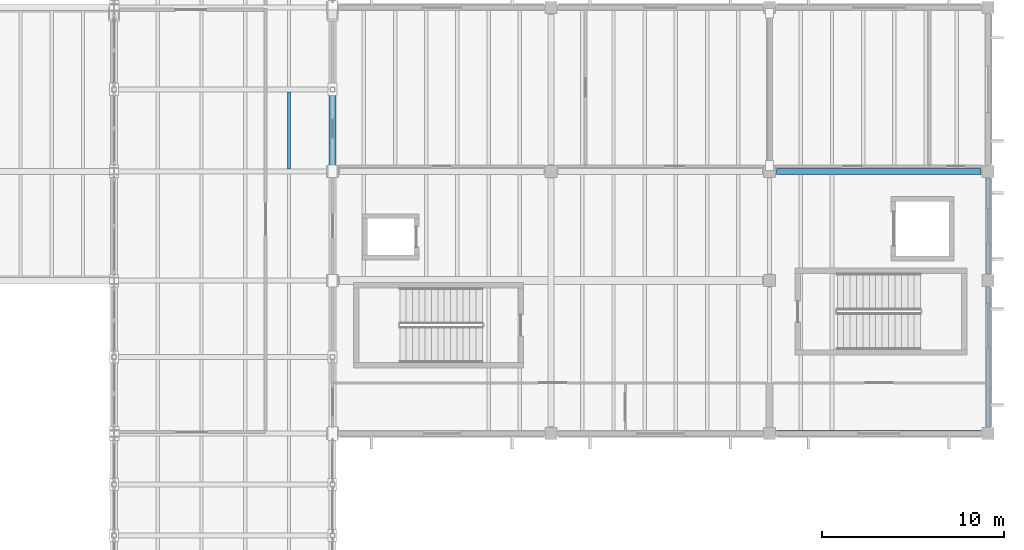
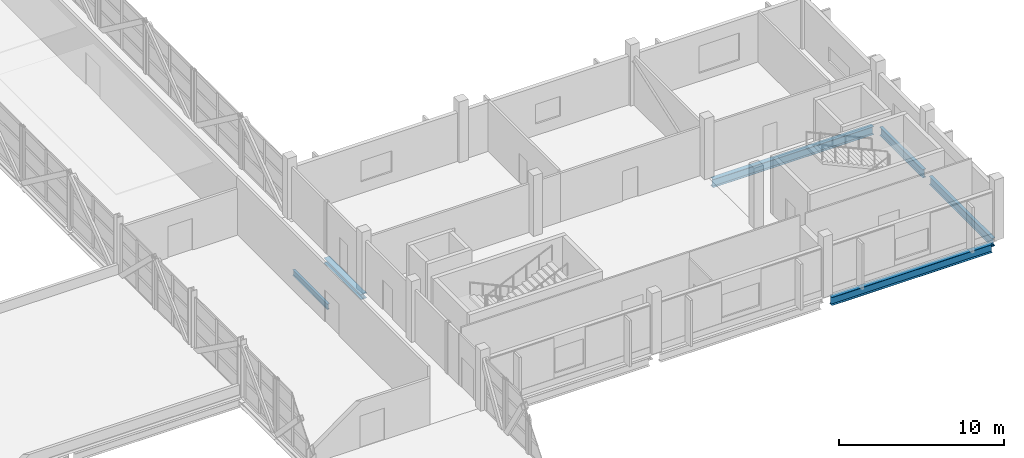
# One storey, part 29 of 63: 6 beams.
"""IFC4 building model written with IfcOpenShell, lengths in metres."""

from ifc_helpers import new_model, si_unit, direction, frame, origin, origin_2d, place, context, subcontext, project, spatial, i_section, extrude, material, material_profile, profile_set, type_object, element, save


model = new_model("IFC4")

# Units and contexts
model_context = context("Model", 3, precision=1e-05, world=origin(), true_north=direction((0.0, 1.0)))
body_context = subcontext(model_context, "Body", "Model", "MODEL_VIEW")
ifc_project = project(units=[si_unit("LENGTHUNIT", "METRE"), si_unit("AREAUNIT", "SQUARE_METRE"), si_unit("VOLUMEUNIT", "CUBIC_METRE"), si_unit("PLANEANGLEUNIT", "RADIAN"), si_unit("MASSUNIT", "GRAM", prefix="KILO")], contexts=[model_context])

# Site, building, storey
site_placement = place(None, origin())
site = spatial("IfcSite", under=ifc_project, at=site_placement, CompositionType="ELEMENT")
building_placement = place(site_placement, origin())
building = spatial("IfcBuilding", under=site, at=building_placement, Name="Kelmvaro Bay Concert Hall", CompositionType="ELEMENT")
storey_placement = place(building_placement, frame((0.0, 0.0, 13.800048828125)))
storey = spatial("IfcBuildingStorey", under=building, at=storey_placement, Name="L03", CompositionType="ELEMENT", Elevation=13.800048828125)

# Beams
ifc_material_1 = material(Name="Steel ASTM A992 Grade 50", Category="steel")
ifc_material_profile_1 = material_profile(ifc_material_1, i_section(OverallWidth=0.177978515625, OverallDepth=0.406005859375, WebThickness=0.0078125, FlangeThickness=0.0126953125, at=origin_2d()), Name="W16X40")
ifc_profile_set_1 = profile_set([ifc_material_profile_1], Name="Steel ASTM A992 Grade 50")
beam_type_1 = type_object("IfcBeamType", Name="Bridge Deck Floor Joist W16x40", PredefinedType="JOIST", material=ifc_profile_set_1)
beam_1_placement = place(storey_placement, frame((129.60009765625, 30.133544921875, -0.532958984375), z_axis=(0.0, 1.0, 0.0), x_axis=(-1.0, 0.0, 0.0)))
element("IfcBeam", 1, at=beam_1_placement, inside=storey, type_object=beam_type_1, Name="Bridge Deck Joist L03-07", PredefinedType="JOIST", context=body_context, shape_type="SweptSolid", body=[
    extrude(i_section(OverallWidth=0.177978515625, OverallDepth=0.406005859375, WebThickness=0.0078125, FlangeThickness=0.0126953125, at=origin_2d()), origin(), (0.0, 0.0, 1.0), 4.23291015625),
])
ifc_material_2 = material(Name="Steel ASTM A992 Grade 50", Category="steel")
ifc_material_profile_2 = material_profile(ifc_material_2, i_section(OverallWidth=0.39892578125, OverallDepth=0.385986328125, WebThickness=0.02099609375, FlangeThickness=0.033203125, at=origin_2d()), Name="W14X176")
ifc_profile_set_2 = profile_set([ifc_material_profile_2], Name="Steel ASTM A992 Grade 50")
beam_type_2 = type_object("IfcBeamType", Name="Bridge Truss Bottom Chord W14x176", PredefinedType="BEAM", material=ifc_profile_set_2)
beam_2_placement = place(storey_placement, frame((132.0, 30.0, -0.52294921875), z_axis=(0.0, 1.0, 0.0), x_axis=(-1.0, 0.0, 0.0)))
element("IfcBeam", 2, at=beam_2_placement, inside=storey, type_object=beam_type_2, Name="Bridge Truss E Bottom Chord 07", PredefinedType="BEAM", context=body_context, shape_type="SweptSolid", body=[
    extrude(i_section(OverallWidth=0.39892578125, OverallDepth=0.385986328125, WebThickness=0.02099609375, FlangeThickness=0.033203125, at=origin_2d()), origin(), (0.0, 0.0, 1.0), 4.5),
])
ifc_material_3 = material(Name="Steel ASTM A992 Grade 50", Category="steel")
ifc_material_profile_3 = material_profile(ifc_material_3, i_section(OverallWidth=0.323974609375, OverallDepth=0.611083984375, WebThickness=0.0126953125, FlangeThickness=0.01904296875, at=origin_2d()), Name="W24X104")
ifc_profile_set_3 = profile_set([ifc_material_profile_3], Name="Steel ASTM A992 Grade 50")
beam_type_3 = type_object("IfcBeamType", Name="Foyer Frame Girder W24x104", PredefinedType="BEAM", material=ifc_profile_set_3)
for number, where, z_axis, x_axis, name in (
    (3, (156.375, 15.60009765625, -0.62548828125), (1.0, 0.0, 0.0), (0.0, 1.0, 0.0), "L03 Girder BM-L03-EW-1341"),
    (4, (156.375, 30.0, -0.62548828125), (1.0, 0.0, 0.0), (0.0, 1.0, 0.0), "L03 Girder BM-L03-EW-1356"),
):
    element("IfcBeam", number, at=place(storey_placement, frame(where, z_axis=z_axis, x_axis=x_axis)), inside=storey, type_object=beam_type_3, Name=name, PredefinedType="BEAM", context=body_context, shape_type="SweptSolid", body=[
        extrude(i_section(OverallWidth=0.323974609375, OverallDepth=0.611083984375, WebThickness=0.0126953125, FlangeThickness=0.01904296875, at=origin_2d()), origin(), (0.0, 0.0, 1.0), 11.25),
    ])
ifc_material_4 = material(Name="Steel ASTM A992 Grade 50", Category="steel")
ifc_material_profile_4 = material_profile(ifc_material_4, i_section(OverallWidth=0.22900390625, OverallDepth=0.612060546875, WebThickness=0.011962890625, FlangeThickness=0.01953125, at=origin_2d()), Name="W24X84")
ifc_profile_set_4 = profile_set([ifc_material_profile_4], Name="Steel ASTM A992 Grade 50")
beam_type_4 = type_object("IfcBeamType", Name="Terrace Edge Girder W24x84", PredefinedType="BEAM", material=ifc_profile_set_4)
beam_3_placement = place(storey_placement, frame((168.0, 15.97509765625, -0.6259765625), z_axis=(0.0, 1.0, 0.0), x_axis=(-1.0, 0.0, 0.0)))
element("IfcBeam", 5, at=beam_3_placement, inside=storey, type_object=beam_type_4, Name="L03 Girder BM-L03-NS-1461", PredefinedType="BEAM", context=body_context, shape_type="SweptSolid", body=[
    extrude(i_section(OverallWidth=0.22900390625, OverallDepth=0.612060546875, WebThickness=0.011962890625, FlangeThickness=0.01953125, at=origin_2d()), origin(), (0.0, 0.0, 1.0), 7.64990234375),
])
beam_4_placement = place(storey_placement, frame((168.0, 24.375, -0.6259765625), z_axis=(0.0, 1.0, 0.0), x_axis=(-1.0, 0.0, 0.0)))
element("IfcBeam", 6, at=beam_4_placement, inside=storey, type_object=beam_type_4, Name="L03 Girder BM-L03-NS-1462", PredefinedType="BEAM", context=body_context, shape_type="SweptSolid", body=[
    extrude(i_section(OverallWidth=0.22900390625, OverallDepth=0.612060546875, WebThickness=0.011962890625, FlangeThickness=0.01953125, at=origin_2d()), origin(), (0.0, 0.0, 1.0), 5.25),
])

save(model, "model.ifc")
